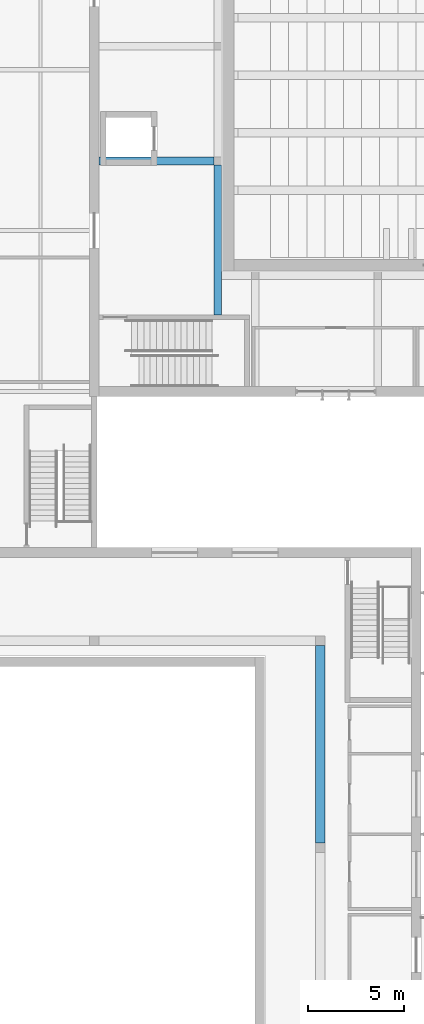
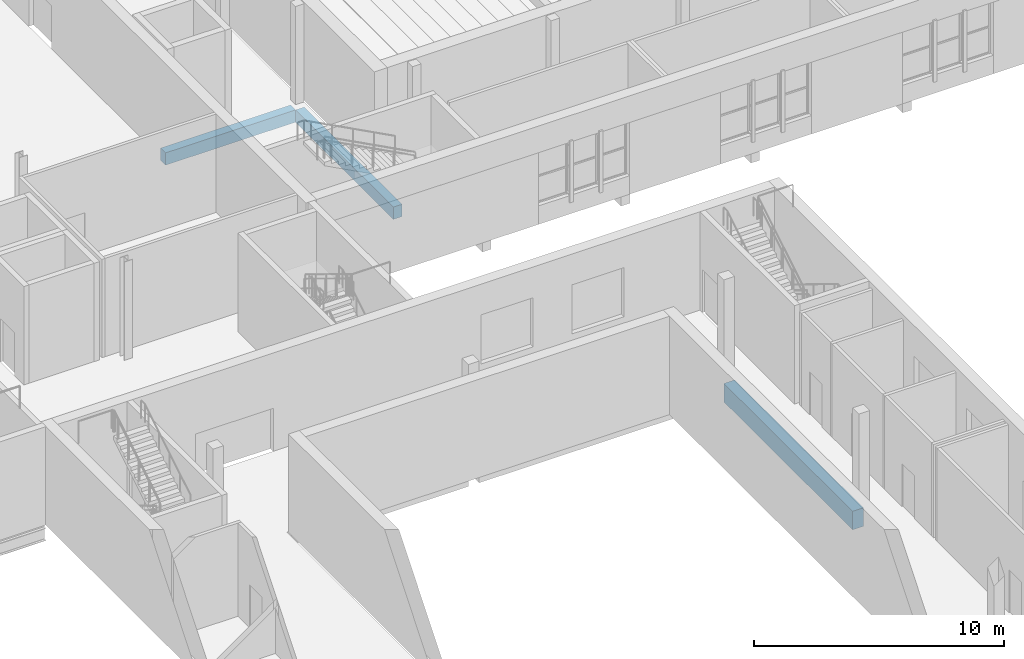
# One storey, part 21 of 127: 3 beams.
"""IFC4 building model written with IfcOpenShell, lengths in metres."""

import ifcopenshell
import ifcopenshell.guid

model = None  # the IFC model being written
_history = None  # IfcOwnerHistory: only IFC2X3 demands one
_inside = {}  # id of a spatial element -> (the spatial element, [elements in it])
_under = {}  # id of a project, library or spatial element -> (it, [spatial elements below it])
_declared = {}  # id of a project -> (the project, [libraries it declares])
_typed = {}  # id of a type object -> (the type object, [elements of that type])
_made_of = {}  # id of a material, layer set ... -> (it, [elements and type objects made of it])


def new_model(schema):
    """Start an empty IFC model of exactly this schema.

    Asked for "IFC4X3", IfcOpenShell would pick the latest addendum, in which some entities
    have other attributes; the version numbers below select the first issue.
    IFC2X3 requires an IfcOwnerHistory on every rooted entity: one is made here for all.
    """
    global model, _history
    if schema == "IFC4X3":
        model = ifcopenshell.file(schema_version=(4, 3, 0, 0))
    else:
        model = ifcopenshell.file(schema=schema)
    _inside.clear()
    _under.clear()
    _declared.clear()
    _typed.clear()
    _made_of.clear()
    _history = None
    if model.schema == "IFC2X3":
        org = make("IfcOrganization", Name="unknown")
        user = make(
            "IfcPersonAndOrganization",
            ThePerson=make("IfcPerson", FamilyName="unknown"),
            TheOrganization=org,
        )
        app = make(
            "IfcApplication",
            ApplicationDeveloper=org,
            Version="unknown",
            ApplicationFullName="unknown",
            ApplicationIdentifier="unknown",
        )
        _history = make(
            "IfcOwnerHistory",
            OwningUser=user,
            OwningApplication=app,
            ChangeAction="ADDED",
            CreationDate=0,
        )
    return model


def make(cls, **values):
    """One entity of the class cls with the attributes given. An attribute that is None is left unset."""
    return model.create_entity(
        cls, **{name: value for name, value in values.items() if value is not None}
    )


def rooted(cls, **values):
    """An entity with a GlobalId (a new one), such as an element, a storey or a relation."""
    return make(cls, GlobalId=ifcopenshell.guid.new(), OwnerHistory=_history, **values)


def si_unit(unit_type, name, prefix=None):
    """IfcSIUnit, for example si_unit("LENGTHUNIT", "METRE", prefix="MILLI")."""
    return make("IfcSIUnit", UnitType=unit_type, Prefix=prefix, Name=name)


def assignment(units):
    """IfcUnitAssignment: the units of a project."""
    return None if units is None else make("IfcUnitAssignment", Units=units)


def point(xyz):
    """IfcCartesianPoint."""
    return None if xyz is None else make("IfcCartesianPoint", Coordinates=xyz)


def direction(xyz):
    """IfcDirection."""
    return None if xyz is None else make("IfcDirection", DirectionRatios=xyz)


def frame(location, z_axis=None, x_axis=None):
    """IfcAxis2Placement3D, a coordinate frame: its origin and axes. An axis left out is left unset."""
    return make(
        "IfcAxis2Placement3D",
        Location=point(location),
        Axis=direction(z_axis),
        RefDirection=direction(x_axis),
    )


def frame_2d(location, x_axis=None):
    """IfcAxis2Placement2D, a coordinate frame in the plane: its origin and x axis."""
    return make(
        "IfcAxis2Placement2D", Location=point(location), RefDirection=direction(x_axis)
    )


def origin():
    """The frame at (0, 0, 0) with its axes left unset."""
    return frame((0.0, 0.0, 0.0))


def origin_2d():
    """The frame at (0, 0) in the plane with its x axis left unset."""
    return frame_2d((0.0, 0.0))


def place(relative_to, where):
    """IfcLocalPlacement: puts the frame where relative to a parent placement (None: the world)."""
    return make(
        "IfcLocalPlacement", PlacementRelTo=relative_to, RelativePlacement=where
    )


def context(
    kind, dimensions, precision=None, world=None, true_north=None, identifier=None
):
    """IfcGeometricRepresentationContext, for example the 3D "Model" context."""
    return make(
        "IfcGeometricRepresentationContext",
        ContextIdentifier=identifier,
        ContextType=kind,
        CoordinateSpaceDimension=dimensions,
        Precision=precision,
        WorldCoordinateSystem=world,
        TrueNorth=true_north,
    )


def subcontext(parent, identifier, kind, view, scale=None):
    """IfcGeometricRepresentationSubContext, for example "Body" below "Model"."""
    return make(
        "IfcGeometricRepresentationSubContext",
        ContextIdentifier=identifier,
        ContextType=kind,
        ParentContext=parent,
        TargetScale=scale,
        TargetView=view,
    )


def project(units=None, contexts=None):
    """IfcProject with its units and contexts."""
    return rooted(
        "IfcProject",
        Name="project",
        RepresentationContexts=contexts,
        UnitsInContext=assignment(units),
    )


def spatial(cls, under=None, at=None, **own):
    """A site, building, storey or space (cls), placed at a placement, below another one or the project."""
    s = rooted(cls, ObjectPlacement=at, **own)
    if under is not None:
        _under.setdefault(under.id(), (under, []))[1].append(s)
    return s


def profile(cls, at=None, kind="AREA", **sizes):
    """A parametric profile (cls). Its sizes go by their IFC names, for example OverallWidth=200.0."""
    return make(cls, ProfileType=kind, Position=at, **sizes)


def rectangle(**sizes):
    """IfcRectangleProfileDef."""
    return profile("IfcRectangleProfileDef", **sizes)


def extrude(swept, where, along, depth):
    """IfcExtrudedAreaSolid: the profile swept, set in the frame where, extruded along a direction by depth."""
    return make(
        "IfcExtrudedAreaSolid",
        SweptArea=swept,
        Position=where,
        ExtrudedDirection=direction(along),
        Depth=depth,
    )


def shape(context_of_items, identifier, shape_type, items):
    """IfcShapeRepresentation: the items that make up one representation, for example the "Body"."""
    return make(
        "IfcShapeRepresentation",
        ContextOfItems=context_of_items,
        RepresentationIdentifier=identifier,
        RepresentationType=shape_type,
        Items=items,
    )


def material(Name=None, Category=None):
    """IfcMaterial."""
    return make("IfcMaterial", Name=Name, Category=Category)


def material_profile(
    of_material, cross_section, Name=None, Category=None, Priority=None
):
    """IfcMaterialProfile: a cross section and its material."""
    return make(
        "IfcMaterialProfile",
        Name=Name,
        Material=of_material,
        Profile=cross_section,
        Priority=Priority,
        Category=Category,
    )


def profile_set(profiles, Name=None, composite=None):
    """IfcMaterialProfileSet."""
    return make(
        "IfcMaterialProfileSet",
        Name=Name,
        MaterialProfiles=profiles,
        CompositeProfile=composite,
    )


def made_of(thing, what):
    """Note that an element or type object is made of a material, layer set ...; save() writes the relation."""
    if what is not None:
        _made_of.setdefault(what.id(), (what, []))[1].append(thing)
    return thing


def type_object(cls, material=None, **own):
    """A type object (cls), such as IfcWallType, which elements share."""
    return made_of(rooted(cls, **own), material)


def element(
    cls,
    number,
    at=None,
    inside=None,
    cuts=None,
    type_object=None,
    material=None,
    context=None,
    identifier="Body",
    shape_type=None,
    held_by="IfcProductDefinitionShape",
    body=None,
    shapes=None,
    **own,
):
    """One element of the class cls, such as IfcWall. Its Tag is "e" and its number.

    at: its placement. inside: the storey or other place that contains it. cuts: it is an
    opening in that element (IfcRelVoidsElement). A single representation is given by context,
    identifier, shape_type and body (its items); several are given by shapes. held_by: the class
    of the entity that holds the representations. save() writes the other relations.
    """
    e = rooted(cls, Tag="e%d" % number, ObjectPlacement=at, **own)
    if body is not None:
        shapes = [shape(context, identifier, shape_type, body)]
    if shapes is not None:
        e.Representation = make(held_by, Representations=shapes)
    if inside is not None:
        _inside.setdefault(inside.id(), (inside, []))[1].append(e)
    if cuts is not None:
        rooted(
            "IfcRelVoidsElement", RelatingBuildingElement=cuts, RelatedOpeningElement=e
        )
    if type_object is not None:
        _typed.setdefault(type_object.id(), (type_object, []))[1].append(e)
    return made_of(e, material)


def aggregate(whole, parts):
    """IfcRelAggregates: a whole, such as a stair, and the parts it consists of."""
    return rooted("IfcRelAggregates", RelatingObject=whole, RelatedObjects=parts)


def save(model, path):
    """Write the relations noted so far, then the file.

    IfcRelAggregates (storeys below a building ...), IfcRelContainedInSpatialStructure (elements
    in a storey), IfcRelDefinesByType, IfcRelAssociatesMaterial and IfcRelDeclares: one each for
    every whole, place, type object, material and project.
    """
    for whole, parts in _under.values():
        aggregate(whole, parts)
    for where, things in _inside.values():
        rooted(
            "IfcRelContainedInSpatialStructure",
            RelatedElements=things,
            RelatingStructure=where,
        )
    for kind, things in _typed.values():
        rooted("IfcRelDefinesByType", RelatedObjects=things, RelatingType=kind)
    for what, things in _made_of.values():
        rooted("IfcRelAssociatesMaterial", RelatedObjects=things, RelatingMaterial=what)
    for by, libraries in _declared.values():
        rooted("IfcRelDeclares", RelatingContext=by, RelatedDefinitions=libraries)
    model.write(path)


model = new_model("IFC4")

# Units and contexts
model_context = context("Model", 3, precision=1e-05, world=origin(), true_north=direction((0.0, 1.0)))
body_context = subcontext(model_context, "Body", "Model", "MODEL_VIEW")
ifc_project = project(units=[si_unit("LENGTHUNIT", "METRE"), si_unit("AREAUNIT", "SQUARE_METRE"), si_unit("VOLUMEUNIT", "CUBIC_METRE"), si_unit("PLANEANGLEUNIT", "RADIAN"), si_unit("MASSUNIT", "GRAM", prefix="KILO")], contexts=[model_context])

# Site, building, storey
site_placement = place(None, origin())
site = spatial("IfcSite", under=ifc_project, at=site_placement, CompositionType="ELEMENT")
building_placement = place(site_placement, origin())
building = spatial("IfcBuilding", under=site, at=building_placement, Name="Ljudholm Concert House", CompositionType="ELEMENT")
storey_placement = place(building_placement, frame((0.0, 0.0, 5.39990234375)))
storey = spatial("IfcBuildingStorey", under=building, at=storey_placement, Name="L01", CompositionType="ELEMENT", Elevation=5.39990234375)

# Beams
ifc_material_1 = material(Name="Concrete 6,500 psi", Category="concrete")
ifc_material_profile_1 = material_profile(ifc_material_1, rectangle(XDim=0.39990234375, YDim=0.60009765625, at=origin_2d()), Name="RC BEAM 400x600")
ifc_profile_set_1 = profile_set([ifc_material_profile_1], Name="Concrete 6,500 psi")
beam_type_1 = type_object("IfcBeamType", Name="RC BEAM 400x600", PredefinedType="BEAM", material=ifc_profile_set_1)
beam_1_placement = place(storey_placement, frame((35.449951171875, 66.429931640625, -0.5498046875), z_axis=(-1.0, 0.0, 0.0), x_axis=(0.0, -1.0, 0.0)))
element("IfcBeam", 1, at=beam_1_placement, inside=storey, type_object=beam_type_1, Name="Ring cross beam", PredefinedType="BEAM", context=body_context, shape_type="SweptSolid", body=[
    extrude(rectangle(XDim=0.39990234375, YDim=0.60009765625, at=origin_2d()), origin(), (0.0, 0.0, 1.0), 6.0),
])
beam_2_placement = place(storey_placement, frame((35.64990234375, 58.39990234375, -0.5498046875), z_axis=(0.0, 1.0, 0.0), x_axis=(-1.0, 0.0, 0.0)))
element("IfcBeam", 2, at=beam_2_placement, inside=storey, type_object=beam_type_1, Name="Ring beam", PredefinedType="BEAM", context=body_context, shape_type="SweptSolid", body=[
    extrude(rectangle(XDim=0.39990234375, YDim=0.60009765625, at=origin_2d()), origin(), (0.0, 0.0, 1.0), 7.830078125),
])
ifc_material_2 = material(Name="Concrete 6,500 psi", Category="concrete")
ifc_material_profile_2 = material_profile(ifc_material_2, rectangle(XDim=0.5, YDim=0.89990234375, at=origin_2d()), Name="RC BEAM 500x900")
ifc_profile_set_2 = profile_set([ifc_material_profile_2], Name="Concrete 6,500 psi")
beam_type_2 = type_object("IfcBeamType", Name="RC BEAM 500x900", PredefinedType="BEAM", material=ifc_profile_set_2)
beam_3_placement = place(storey_placement, frame((41.0, 30.85009765625, -0.699951171875), z_axis=(0.0, 1.0, 0.0), x_axis=(-1.0, 0.0, 0.0)))
element("IfcBeam", 3, at=beam_3_placement, inside=storey, type_object=beam_type_2, Name="Ring beam", PredefinedType="BEAM", context=body_context, shape_type="SweptSolid", body=[
    extrude(rectangle(XDim=0.5, YDim=0.89990234375, at=origin_2d()), origin(), (0.0, 0.0, 1.0), 10.2998046875),
])

save(model, "model.ifc")
